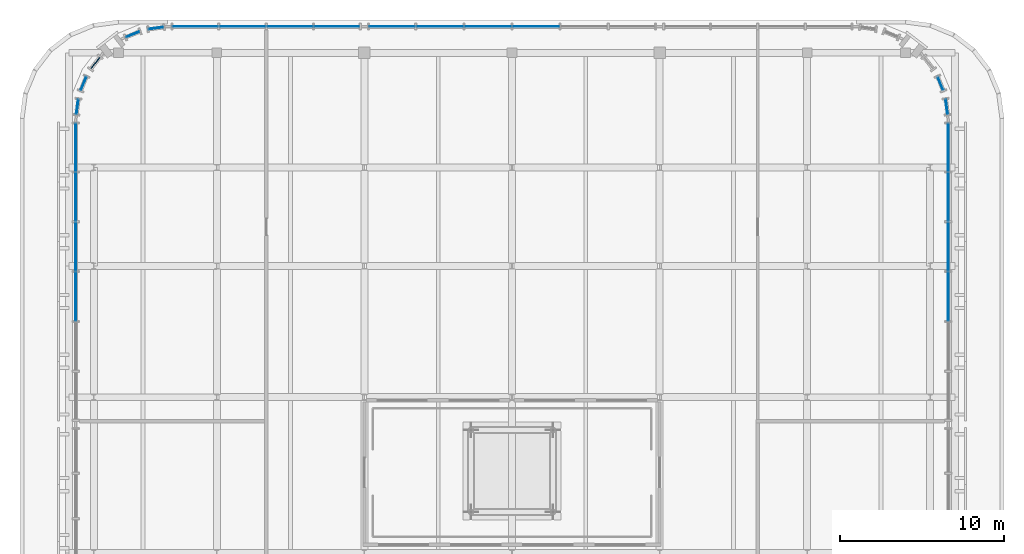
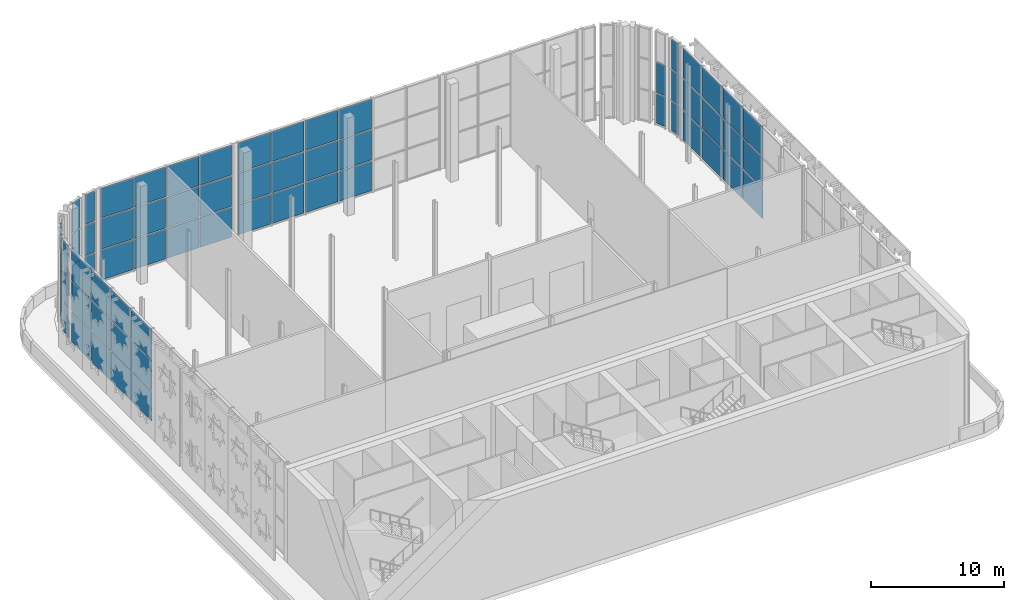
# One storey, part 16 of 26: 68 plates, 11 elements without a shape of their own.
"""IFC4 building model written with IfcOpenShell, lengths in metres."""

from ifc_helpers import new_model, si_unit, direction, frame, origin, origin_2d, place, context, subcontext, project, spatial, rectangle, extrude, material, layer, layer_set, type_object, element, aggregate, save


model = new_model("IFC4")

# Units and contexts
model_context = context("Model", 3, precision=1e-05, world=origin(), true_north=direction((0.0, 1.0)))
body_context = subcontext(model_context, "Body", "Model", "MODEL_VIEW")
ifc_project = project(units=[si_unit("LENGTHUNIT", "METRE"), si_unit("AREAUNIT", "SQUARE_METRE"), si_unit("VOLUMEUNIT", "CUBIC_METRE"), si_unit("PLANEANGLEUNIT", "RADIAN"), si_unit("MASSUNIT", "GRAM", prefix="KILO")], contexts=[model_context])

# Site, building, storey
site_placement = place(None, origin())
site = spatial("IfcSite", under=ifc_project, at=site_placement, CompositionType="ELEMENT")
building_placement = place(site_placement, origin())
building = spatial("IfcBuilding", under=site, at=building_placement, Name="Zellij Exchange Tower", CompositionType="ELEMENT")
storey_placement = place(building_placement, frame((0.0, 0.0, 296.5)))
storey = spatial("IfcBuildingStorey", under=building, at=storey_placement, Name="L70", CompositionType="ELEMENT", Elevation=296.5)

# Curtain wall, plates
ifc_material_1 = material(Name="Bronze anodised aluminium frame, bronze laminated glass", Category="aluminium")
curtain_wall_type = type_object("IfcCurtainWallType", Name="ENV-CW5 Damper-gallery glazing", PredefinedType="NOTDEFINED", material=ifc_material_1)
curtain_wall_1_placement = place(storey_placement, origin())
curtain_wall_1 = element("IfcCurtainWall", 1, at=curtain_wall_1_placement, inside=storey, type_object=curtain_wall_type, Name="cw.L70.04b", PredefinedType="NOTDEFINED")
ifc_material_2 = material(Name="Laminated glass, bronze tint", Category="glass")
ifc_layer = layer(ifc_material_2, 0.052001953125)
ifc_layer_set = layer_set([ifc_layer], Name="Laminated glass, bronze tint")
plate_type = type_object("IfcPlateType", Name="ENV-CW5P Glazed panel 52", PredefinedType="CURTAIN_PANEL", material=ifc_layer_set)
plate_1_placement = place(storey_placement, frame((26.60009765625, 20.138671875, 0.099853515625), z_axis=(0.0, 0.0, 1.0), x_axis=(0.0, 1.0, 0.0)))
plate_1 = element("IfcPlate", 2, at=plate_1_placement, type_object=plate_type, Name="CW5 panel 3.1", PredefinedType="CURTAIN_PANEL", context=body_context, shape_type="SweptSolid", body=[
    extrude(rectangle(XDim=2.938720703125, YDim=0.052001953125, at=origin_2d()), origin(), (0.0, 0.0, 1.0), 2.7333984375),
])
plate_2_placement = place(storey_placement, frame((26.60009765625, 20.138671875, 2.93310546875), z_axis=(0.0, 0.0, 1.0), x_axis=(0.0, 1.0, 0.0)))
plate_2 = element("IfcPlate", 3, at=plate_2_placement, type_object=plate_type, Name="CW5 panel 3.2", PredefinedType="CURTAIN_PANEL", context=body_context, shape_type="SweptSolid", body=[
    extrude(rectangle(XDim=2.938720703125, YDim=0.052001953125, at=origin_2d()), origin(), (0.0, 0.0, 1.0), 2.783447265625),
])
plate_3_placement = place(storey_placement, frame((26.60009765625, 20.138671875, 5.816650390625), z_axis=(0.0, 0.0, 1.0), x_axis=(0.0, 1.0, 0.0)))
plate_3 = element("IfcPlate", 4, at=plate_3_placement, type_object=plate_type, Name="CW5 panel 3.3", PredefinedType="CURTAIN_PANEL", context=body_context, shape_type="SweptSolid", body=[
    extrude(rectangle(XDim=2.938720703125, YDim=0.052001953125, at=origin_2d()), origin(), (0.0, 0.0, 1.0), 2.7333984375),
])
plate_4_placement = place(storey_placement, frame((26.60009765625, 23.17724609375, 0.099853515625), z_axis=(0.0, 0.0, 1.0), x_axis=(0.0, 1.0, 0.0)))
plate_4 = element("IfcPlate", 5, at=plate_4_placement, type_object=plate_type, Name="CW5 panel 4.1", PredefinedType="CURTAIN_PANEL", context=body_context, shape_type="SweptSolid", body=[
    extrude(rectangle(XDim=2.938720703125, YDim=0.052001953125, at=origin_2d()), origin(), (0.0, 0.0, 1.0), 2.7333984375),
])
plate_5_placement = place(storey_placement, frame((26.60009765625, 23.17724609375, 2.93310546875), z_axis=(0.0, 0.0, 1.0), x_axis=(0.0, 1.0, 0.0)))
plate_5 = element("IfcPlate", 6, at=plate_5_placement, type_object=plate_type, Name="CW5 panel 4.2", PredefinedType="CURTAIN_PANEL", context=body_context, shape_type="SweptSolid", body=[
    extrude(rectangle(XDim=2.938720703125, YDim=0.052001953125, at=origin_2d()), origin(), (0.0, 0.0, 1.0), 2.783447265625),
])
plate_6_placement = place(storey_placement, frame((26.60009765625, 23.17724609375, 5.816650390625), z_axis=(0.0, 0.0, 1.0), x_axis=(0.0, 1.0, 0.0)))
plate_6 = element("IfcPlate", 7, at=plate_6_placement, type_object=plate_type, Name="CW5 panel 4.3", PredefinedType="CURTAIN_PANEL", context=body_context, shape_type="SweptSolid", body=[
    extrude(rectangle(XDim=2.938720703125, YDim=0.052001953125, at=origin_2d()), origin(), (0.0, 0.0, 1.0), 2.7333984375),
])
plate_7_placement = place(storey_placement, frame((26.60009765625, 26.2158203125, 0.099853515625), z_axis=(0.0, 0.0, 1.0), x_axis=(0.0, 1.0, 0.0)))
plate_7 = element("IfcPlate", 8, at=plate_7_placement, type_object=plate_type, Name="CW5 panel 5.1", PredefinedType="CURTAIN_PANEL", context=body_context, shape_type="SweptSolid", body=[
    extrude(rectangle(XDim=2.938720703125, YDim=0.052001953125, at=origin_2d()), origin(), (0.0, 0.0, 1.0), 2.7333984375),
])
plate_8_placement = place(storey_placement, frame((26.60009765625, 26.2158203125, 2.93310546875), z_axis=(0.0, 0.0, 1.0), x_axis=(0.0, 1.0, 0.0)))
plate_8 = element("IfcPlate", 9, at=plate_8_placement, type_object=plate_type, Name="CW5 panel 5.2", PredefinedType="CURTAIN_PANEL", context=body_context, shape_type="SweptSolid", body=[
    extrude(rectangle(XDim=2.938720703125, YDim=0.052001953125, at=origin_2d()), origin(), (0.0, 0.0, 1.0), 2.783447265625),
])
plate_9_placement = place(storey_placement, frame((26.60009765625, 26.2158203125, 5.816650390625), z_axis=(0.0, 0.0, 1.0), x_axis=(0.0, 1.0, 0.0)))
plate_9 = element("IfcPlate", 10, at=plate_9_placement, type_object=plate_type, Name="CW5 panel 5.3", PredefinedType="CURTAIN_PANEL", context=body_context, shape_type="SweptSolid", body=[
    extrude(rectangle(XDim=2.938720703125, YDim=0.052001953125, at=origin_2d()), origin(), (0.0, 0.0, 1.0), 2.7333984375),
])
plate_10_placement = place(storey_placement, frame((26.60009765625, 29.2294921875, 0.099853515625), z_axis=(0.0, 0.0, 1.0), x_axis=(0.0, 1.0, 0.0)))
plate_10 = element("IfcPlate", 11, at=plate_10_placement, type_object=plate_type, Name="CW5 panel 6.1", PredefinedType="CURTAIN_PANEL", context=body_context, shape_type="SweptSolid", body=[
    extrude(rectangle(XDim=2.888671875, YDim=0.052001953125, at=origin_2d()), origin(), (0.0, 0.0, 1.0), 2.7333984375),
])
plate_11_placement = place(storey_placement, frame((26.60009765625, 29.2294921875, 2.93310546875), z_axis=(0.0, 0.0, 1.0), x_axis=(0.0, 1.0, 0.0)))
plate_11 = element("IfcPlate", 12, at=plate_11_placement, type_object=plate_type, Name="CW5 panel 6.2", PredefinedType="CURTAIN_PANEL", context=body_context, shape_type="SweptSolid", body=[
    extrude(rectangle(XDim=2.888671875, YDim=0.052001953125, at=origin_2d()), origin(), (0.0, 0.0, 1.0), 2.783447265625),
])
plate_12_placement = place(storey_placement, frame((26.60009765625, 29.2294921875, 5.816650390625), z_axis=(0.0, 0.0, 1.0), x_axis=(0.0, 1.0, 0.0)))
plate_12 = element("IfcPlate", 13, at=plate_12_placement, type_object=plate_type, Name="CW5 panel 6.3", PredefinedType="CURTAIN_PANEL", context=body_context, shape_type="SweptSolid", body=[
    extrude(rectangle(XDim=2.888671875, YDim=0.052001953125, at=origin_2d()), origin(), (0.0, 0.0, 1.0), 2.7333984375),
])
aggregate(curtain_wall_1, [plate_1, plate_2, plate_3, plate_4, plate_5, plate_6, plate_7, plate_8, plate_9, plate_10, plate_11, plate_12])

curtain_wall_2_placement = place(storey_placement, origin())
curtain_wall_2 = element("IfcCurtainWall", 14, at=curtain_wall_2_placement, inside=storey, type_object=curtain_wall_type, Name="cw.L70.05", PredefinedType="NOTDEFINED")
plate_13_placement = place(storey_placement, frame((26.5029296875, 31.711181640625, 0.099853515625), z_axis=(0.0, 0.0, 1.0), x_axis=(-0.130494953476, 0.991448973532, 0.0)))
plate_13 = element("IfcPlate", 15, at=plate_13_placement, type_object=plate_type, Name="CW5 panel 1.1", PredefinedType="CURTAIN_PANEL", context=body_context, shape_type="SweptSolid", body=[
    extrude(rectangle(XDim=0.887451171875, YDim=0.052001953125, at=origin_2d()), origin(), (0.0, 0.0, 1.0), 2.7333984375),
])
plate_14_placement = place(storey_placement, frame((26.5029296875, 31.711181640625, 2.93310546875), z_axis=(0.0, 0.0, 1.0), x_axis=(-0.130494953476, 0.991448973532, 0.0)))
plate_14 = element("IfcPlate", 16, at=plate_14_placement, type_object=plate_type, Name="CW5 panel 1.2", PredefinedType="CURTAIN_PANEL", context=body_context, shape_type="SweptSolid", body=[
    extrude(rectangle(XDim=0.887451171875, YDim=0.052001953125, at=origin_2d()), origin(), (0.0, 0.0, 1.0), 2.783447265625),
])
plate_15_placement = place(storey_placement, frame((26.5029296875, 31.711181640625, 5.816650390625), z_axis=(0.0, 0.0, 1.0), x_axis=(-0.130494953476, 0.991448973532, 0.0)))
plate_15 = element("IfcPlate", 17, at=plate_15_placement, type_object=plate_type, Name="CW5 panel 1.3", PredefinedType="CURTAIN_PANEL", context=body_context, shape_type="SweptSolid", body=[
    extrude(rectangle(XDim=0.887451171875, YDim=0.052001953125, at=origin_2d()), origin(), (0.0, 0.0, 1.0), 2.7333984375),
])
aggregate(curtain_wall_2, [plate_13, plate_14, plate_15])

curtain_wall_3_placement = place(storey_placement, origin())
curtain_wall_3 = element("IfcCurtainWall", 18, at=curtain_wall_3_placement, inside=storey, type_object=curtain_wall_type, Name="cw.L70.06", PredefinedType="NOTDEFINED")
plate_16_placement = place(storey_placement, frame((26.12646484375, 33.123291015625, 0.099853515625), z_axis=(0.0, 0.0, 1.0), x_axis=(-0.382754118186, 0.923850250318, 0.0)))
plate_16 = element("IfcPlate", 19, at=plate_16_placement, type_object=plate_type, Name="CW5 panel 1.1", PredefinedType="CURTAIN_PANEL", context=body_context, shape_type="SweptSolid", body=[
    extrude(rectangle(XDim=0.861083984375, YDim=0.052001953125, at=origin_2d()), origin(), (0.0, 0.0, 1.0), 2.7333984375),
])
plate_17_placement = place(storey_placement, frame((26.12646484375, 33.123291015625, 2.93310546875), z_axis=(0.0, 0.0, 1.0), x_axis=(-0.382754118186, 0.923850250318, 0.0)))
plate_17 = element("IfcPlate", 20, at=plate_17_placement, type_object=plate_type, Name="CW5 panel 1.2", PredefinedType="CURTAIN_PANEL", context=body_context, shape_type="SweptSolid", body=[
    extrude(rectangle(XDim=0.861083984375, YDim=0.052001953125, at=origin_2d()), origin(), (0.0, 0.0, 1.0), 2.783447265625),
])
aggregate(curtain_wall_3, [plate_16, plate_17])

curtain_wall_4_placement = place(storey_placement, origin())
curtain_wall_4 = element("IfcCurtainWall", 21, at=curtain_wall_4_placement, inside=storey, type_object=curtain_wall_type, Name="cw.L70.11b", PredefinedType="NOTDEFINED")
plate_18_placement = place(storey_placement, frame((1.466552734375, 36.60009765625, 0.099853515625), z_axis=(0.0, 0.0, 1.0), x_axis=(-1.0, 0.0, 0.0)))
plate_18 = element("IfcPlate", 22, at=plate_18_placement, type_object=plate_type, Name="CW5 panel 3.1", PredefinedType="CURTAIN_PANEL", context=body_context, shape_type="SweptSolid", body=[
    extrude(rectangle(XDim=2.833251953125, YDim=0.052001953125, at=origin_2d()), origin(), (0.0, 0.0, 1.0), 2.7333984375),
])
plate_19_placement = place(storey_placement, frame((1.466552734375, 36.60009765625, 2.93310546875), z_axis=(0.0, 0.0, 1.0), x_axis=(-1.0, 0.0, 0.0)))
plate_19 = element("IfcPlate", 23, at=plate_19_placement, type_object=plate_type, Name="CW5 panel 3.2", PredefinedType="CURTAIN_PANEL", context=body_context, shape_type="SweptSolid", body=[
    extrude(rectangle(XDim=2.833251953125, YDim=0.052001953125, at=origin_2d()), origin(), (0.0, 0.0, 1.0), 2.783447265625),
])
plate_20_placement = place(storey_placement, frame((1.466552734375, 36.60009765625, 5.816650390625), z_axis=(0.0, 0.0, 1.0), x_axis=(-1.0, 0.0, 0.0)))
plate_20 = element("IfcPlate", 24, at=plate_20_placement, type_object=plate_type, Name="CW5 panel 3.3", PredefinedType="CURTAIN_PANEL", context=body_context, shape_type="SweptSolid", body=[
    extrude(rectangle(XDim=2.833251953125, YDim=0.052001953125, at=origin_2d()), origin(), (0.0, 0.0, 1.0), 2.7333984375),
])
plate_21_placement = place(storey_placement, frame((-1.466552734375, 36.60009765625, 0.099853515625), z_axis=(0.0, 0.0, 1.0), x_axis=(-1.0, 0.0, 0.0)))
plate_21 = element("IfcPlate", 25, at=plate_21_placement, type_object=plate_type, Name="CW5 panel 4.1", PredefinedType="CURTAIN_PANEL", context=body_context, shape_type="SweptSolid", body=[
    extrude(rectangle(XDim=2.833251953125, YDim=0.052001953125, at=origin_2d()), origin(), (0.0, 0.0, 1.0), 2.7333984375),
])
plate_22_placement = place(storey_placement, frame((-1.466552734375, 36.60009765625, 2.93310546875), z_axis=(0.0, 0.0, 1.0), x_axis=(-1.0, 0.0, 0.0)))
plate_22 = element("IfcPlate", 26, at=plate_22_placement, type_object=plate_type, Name="CW5 panel 4.2", PredefinedType="CURTAIN_PANEL", context=body_context, shape_type="SweptSolid", body=[
    extrude(rectangle(XDim=2.833251953125, YDim=0.052001953125, at=origin_2d()), origin(), (0.0, 0.0, 1.0), 2.783447265625),
])
plate_23_placement = place(storey_placement, frame((-1.466552734375, 36.60009765625, 5.816650390625), z_axis=(0.0, 0.0, 1.0), x_axis=(-1.0, 0.0, 0.0)))
plate_23 = element("IfcPlate", 27, at=plate_23_placement, type_object=plate_type, Name="CW5 panel 4.3", PredefinedType="CURTAIN_PANEL", context=body_context, shape_type="SweptSolid", body=[
    extrude(rectangle(XDim=2.833251953125, YDim=0.052001953125, at=origin_2d()), origin(), (0.0, 0.0, 1.0), 2.7333984375),
])
plate_24_placement = place(storey_placement, frame((-4.39990234375, 36.60009765625, 0.099853515625), z_axis=(0.0, 0.0, 1.0), x_axis=(-1.0, 0.0, 0.0)))
plate_24 = element("IfcPlate", 28, at=plate_24_placement, type_object=plate_type, Name="CW5 panel 5.1", PredefinedType="CURTAIN_PANEL", context=body_context, shape_type="SweptSolid", body=[
    extrude(rectangle(XDim=2.833251953125, YDim=0.052001953125, at=origin_2d()), origin(), (0.0, 0.0, 1.0), 2.7333984375),
])
plate_25_placement = place(storey_placement, frame((-4.39990234375, 36.60009765625, 2.93310546875), z_axis=(0.0, 0.0, 1.0), x_axis=(-1.0, 0.0, 0.0)))
plate_25 = element("IfcPlate", 29, at=plate_25_placement, type_object=plate_type, Name="CW5 panel 5.2", PredefinedType="CURTAIN_PANEL", context=body_context, shape_type="SweptSolid", body=[
    extrude(rectangle(XDim=2.833251953125, YDim=0.052001953125, at=origin_2d()), origin(), (0.0, 0.0, 1.0), 2.783447265625),
])
plate_26_placement = place(storey_placement, frame((-4.39990234375, 36.60009765625, 5.816650390625), z_axis=(0.0, 0.0, 1.0), x_axis=(-1.0, 0.0, 0.0)))
plate_26 = element("IfcPlate", 30, at=plate_26_placement, type_object=plate_type, Name="CW5 panel 5.3", PredefinedType="CURTAIN_PANEL", context=body_context, shape_type="SweptSolid", body=[
    extrude(rectangle(XDim=2.833251953125, YDim=0.052001953125, at=origin_2d()), origin(), (0.0, 0.0, 1.0), 2.7333984375),
])
plate_27_placement = place(storey_placement, frame((-7.308349609375, 36.60009765625, 0.099853515625), z_axis=(0.0, 0.0, 1.0), x_axis=(-1.0, 0.0, 0.0)))
plate_27 = element("IfcPlate", 31, at=plate_27_placement, type_object=plate_type, Name="CW5 panel 6.1", PredefinedType="CURTAIN_PANEL", context=body_context, shape_type="SweptSolid", body=[
    extrude(rectangle(XDim=2.783447265625, YDim=0.052001953125, at=origin_2d()), origin(), (0.0, 0.0, 1.0), 2.7333984375),
])
plate_28_placement = place(storey_placement, frame((-7.308349609375, 36.60009765625, 2.93310546875), z_axis=(0.0, 0.0, 1.0), x_axis=(-1.0, 0.0, 0.0)))
plate_28 = element("IfcPlate", 32, at=plate_28_placement, type_object=plate_type, Name="CW5 panel 6.2", PredefinedType="CURTAIN_PANEL", context=body_context, shape_type="SweptSolid", body=[
    extrude(rectangle(XDim=2.783447265625, YDim=0.052001953125, at=origin_2d()), origin(), (0.0, 0.0, 1.0), 2.783447265625),
])
plate_29_placement = place(storey_placement, frame((-7.308349609375, 36.60009765625, 5.816650390625), z_axis=(0.0, 0.0, 1.0), x_axis=(-1.0, 0.0, 0.0)))
plate_29 = element("IfcPlate", 33, at=plate_29_placement, type_object=plate_type, Name="CW5 panel 6.3", PredefinedType="CURTAIN_PANEL", context=body_context, shape_type="SweptSolid", body=[
    extrude(rectangle(XDim=2.783447265625, YDim=0.052001953125, at=origin_2d()), origin(), (0.0, 0.0, 1.0), 2.7333984375),
])
aggregate(curtain_wall_4, [plate_18, plate_19, plate_20, plate_21, plate_22, plate_23, plate_24, plate_25, plate_26, plate_27, plate_28, plate_29])

curtain_wall_5_placement = place(storey_placement, origin())
curtain_wall_5 = element("IfcCurtainWall", 34, at=curtain_wall_5_placement, inside=storey, type_object=curtain_wall_type, Name="cw.L70.11c", PredefinedType="NOTDEFINED")
plate_30_placement = place(storey_placement, frame((-10.671630859375, 36.60009765625, 0.099853515625), z_axis=(0.0, 0.0, 1.0), x_axis=(-1.0, 0.0, 0.0)))
plate_30 = element("IfcPlate", 35, at=plate_30_placement, type_object=plate_type, Name="CW5 panel 1.1", PredefinedType="CURTAIN_PANEL", context=body_context, shape_type="SweptSolid", body=[
    extrude(rectangle(XDim=2.743408203125, YDim=0.052001953125, at=origin_2d()), origin(), (0.0, 0.0, 1.0), 2.7333984375),
])
plate_31_placement = place(storey_placement, frame((-10.671630859375, 36.60009765625, 2.93310546875), z_axis=(0.0, 0.0, 1.0), x_axis=(-1.0, 0.0, 0.0)))
plate_31 = element("IfcPlate", 36, at=plate_31_placement, type_object=plate_type, Name="CW5 panel 1.2", PredefinedType="CURTAIN_PANEL", context=body_context, shape_type="SweptSolid", body=[
    extrude(rectangle(XDim=2.743408203125, YDim=0.052001953125, at=origin_2d()), origin(), (0.0, 0.0, 1.0), 2.783447265625),
])
plate_32_placement = place(storey_placement, frame((-10.671630859375, 36.60009765625, 5.816650390625), z_axis=(0.0, 0.0, 1.0), x_axis=(-1.0, 0.0, 0.0)))
plate_32 = element("IfcPlate", 37, at=plate_32_placement, type_object=plate_type, Name="CW5 panel 1.3", PredefinedType="CURTAIN_PANEL", context=body_context, shape_type="SweptSolid", body=[
    extrude(rectangle(XDim=2.743408203125, YDim=0.052001953125, at=origin_2d()), origin(), (0.0, 0.0, 1.0), 2.7333984375),
])
plate_33_placement = place(storey_placement, frame((-13.540283203125, 36.60009765625, 0.099853515625), z_axis=(0.0, 0.0, 1.0), x_axis=(-1.0, 0.0, 0.0)))
plate_33 = element("IfcPlate", 38, at=plate_33_placement, type_object=plate_type, Name="CW5 panel 2.1", PredefinedType="CURTAIN_PANEL", context=body_context, shape_type="SweptSolid", body=[
    extrude(rectangle(XDim=2.79345703125, YDim=0.052001953125, at=origin_2d()), origin(), (0.0, 0.0, 1.0), 2.7333984375),
])
plate_34_placement = place(storey_placement, frame((-13.540283203125, 36.60009765625, 2.93310546875), z_axis=(0.0, 0.0, 1.0), x_axis=(-1.0, 0.0, 0.0)))
plate_34 = element("IfcPlate", 39, at=plate_34_placement, type_object=plate_type, Name="CW5 panel 2.2", PredefinedType="CURTAIN_PANEL", context=body_context, shape_type="SweptSolid", body=[
    extrude(rectangle(XDim=2.79345703125, YDim=0.052001953125, at=origin_2d()), origin(), (0.0, 0.0, 1.0), 2.783447265625),
])
plate_35_placement = place(storey_placement, frame((-13.540283203125, 36.60009765625, 5.816650390625), z_axis=(0.0, 0.0, 1.0), x_axis=(-1.0, 0.0, 0.0)))
plate_35 = element("IfcPlate", 40, at=plate_35_placement, type_object=plate_type, Name="CW5 panel 2.3", PredefinedType="CURTAIN_PANEL", context=body_context, shape_type="SweptSolid", body=[
    extrude(rectangle(XDim=2.79345703125, YDim=0.052001953125, at=origin_2d()), origin(), (0.0, 0.0, 1.0), 2.7333984375),
])
plate_36_placement = place(storey_placement, frame((-16.43359375, 36.60009765625, 0.099853515625), z_axis=(0.0, 0.0, 1.0), x_axis=(-1.0, 0.0, 0.0)))
plate_36 = element("IfcPlate", 41, at=plate_36_placement, type_object=plate_type, Name="CW5 panel 3.1", PredefinedType="CURTAIN_PANEL", context=body_context, shape_type="SweptSolid", body=[
    extrude(rectangle(XDim=2.79345703125, YDim=0.052001953125, at=origin_2d()), origin(), (0.0, 0.0, 1.0), 2.7333984375),
])
plate_37_placement = place(storey_placement, frame((-16.43359375, 36.60009765625, 2.93310546875), z_axis=(0.0, 0.0, 1.0), x_axis=(-1.0, 0.0, 0.0)))
plate_37 = element("IfcPlate", 42, at=plate_37_placement, type_object=plate_type, Name="CW5 panel 3.2", PredefinedType="CURTAIN_PANEL", context=body_context, shape_type="SweptSolid", body=[
    extrude(rectangle(XDim=2.79345703125, YDim=0.052001953125, at=origin_2d()), origin(), (0.0, 0.0, 1.0), 2.783447265625),
])
plate_38_placement = place(storey_placement, frame((-16.43359375, 36.60009765625, 5.816650390625), z_axis=(0.0, 0.0, 1.0), x_axis=(-1.0, 0.0, 0.0)))
plate_38 = element("IfcPlate", 43, at=plate_38_placement, type_object=plate_type, Name="CW5 panel 3.3", PredefinedType="CURTAIN_PANEL", context=body_context, shape_type="SweptSolid", body=[
    extrude(rectangle(XDim=2.79345703125, YDim=0.052001953125, at=origin_2d()), origin(), (0.0, 0.0, 1.0), 2.7333984375),
])
plate_39_placement = place(storey_placement, frame((-19.302001953125, 36.60009765625, 0.099853515625), z_axis=(0.0, 0.0, 1.0), x_axis=(-1.0, 0.0, 0.0)))
plate_39 = element("IfcPlate", 44, at=plate_39_placement, type_object=plate_type, Name="CW5 panel 4.1", PredefinedType="CURTAIN_PANEL", context=body_context, shape_type="SweptSolid", body=[
    extrude(rectangle(XDim=2.743408203125, YDim=0.052001953125, at=origin_2d()), origin(), (0.0, 0.0, 1.0), 2.7333984375),
])
plate_40_placement = place(storey_placement, frame((-19.302001953125, 36.60009765625, 2.93310546875), z_axis=(0.0, 0.0, 1.0), x_axis=(-1.0, 0.0, 0.0)))
plate_40 = element("IfcPlate", 45, at=plate_40_placement, type_object=plate_type, Name="CW5 panel 4.2", PredefinedType="CURTAIN_PANEL", context=body_context, shape_type="SweptSolid", body=[
    extrude(rectangle(XDim=2.743408203125, YDim=0.052001953125, at=origin_2d()), origin(), (0.0, 0.0, 1.0), 2.783447265625),
])
plate_41_placement = place(storey_placement, frame((-19.302001953125, 36.60009765625, 5.816650390625), z_axis=(0.0, 0.0, 1.0), x_axis=(-1.0, 0.0, 0.0)))
plate_41 = element("IfcPlate", 46, at=plate_41_placement, type_object=plate_type, Name="CW5 panel 4.3", PredefinedType="CURTAIN_PANEL", context=body_context, shape_type="SweptSolid", body=[
    extrude(rectangle(XDim=2.743408203125, YDim=0.052001953125, at=origin_2d()), origin(), (0.0, 0.0, 1.0), 2.7333984375),
])
aggregate(curtain_wall_5, [plate_30, plate_31, plate_32, plate_33, plate_34, plate_35, plate_36, plate_37, plate_38, plate_39, plate_40, plate_41])

curtain_wall_6_placement = place(storey_placement, origin())
curtain_wall_6 = element("IfcCurtainWall", 47, at=curtain_wall_6_placement, inside=storey, type_object=curtain_wall_type, Name="cw.L70.12", PredefinedType="NOTDEFINED")
plate_42_placement = place(storey_placement, frame((-21.711181640625, 36.5029296875, 0.099853515625), z_axis=(0.0, 0.0, 1.0), x_axis=(-0.991448973532, -0.130494953476, 0.0)))
plate_42 = element("IfcPlate", 48, at=plate_42_placement, type_object=plate_type, Name="CW5 panel 1.1", PredefinedType="CURTAIN_PANEL", context=body_context, shape_type="SweptSolid", body=[
    extrude(rectangle(XDim=0.887451171875, YDim=0.052001953125, at=origin_2d()), origin(), (0.0, 0.0, 1.0), 2.7333984375),
])
plate_43_placement = place(storey_placement, frame((-21.711181640625, 36.5029296875, 2.93310546875), z_axis=(0.0, 0.0, 1.0), x_axis=(-0.991448973532, -0.130494953476, 0.0)))
plate_43 = element("IfcPlate", 49, at=plate_43_placement, type_object=plate_type, Name="CW5 panel 1.2", PredefinedType="CURTAIN_PANEL", context=body_context, shape_type="SweptSolid", body=[
    extrude(rectangle(XDim=0.887451171875, YDim=0.052001953125, at=origin_2d()), origin(), (0.0, 0.0, 1.0), 2.783447265625),
])
plate_44_placement = place(storey_placement, frame((-21.711181640625, 36.5029296875, 5.816650390625), z_axis=(0.0, 0.0, 1.0), x_axis=(-0.991448973532, -0.130494953476, 0.0)))
plate_44 = element("IfcPlate", 50, at=plate_44_placement, type_object=plate_type, Name="CW5 panel 1.3", PredefinedType="CURTAIN_PANEL", context=body_context, shape_type="SweptSolid", body=[
    extrude(rectangle(XDim=0.887451171875, YDim=0.052001953125, at=origin_2d()), origin(), (0.0, 0.0, 1.0), 2.7333984375),
])
aggregate(curtain_wall_6, [plate_42, plate_43, plate_44])

curtain_wall_7_placement = place(storey_placement, origin())
curtain_wall_7 = element("IfcCurtainWall", 51, at=curtain_wall_7_placement, inside=storey, type_object=curtain_wall_type, Name="cw.L70.13", PredefinedType="NOTDEFINED")
plate_45_placement = place(storey_placement, frame((-23.123291015625, 36.12646484375, 0.099853515625), z_axis=(0.0, 0.0, 1.0), x_axis=(-0.923850250318, -0.382754118186, 0.0)))
plate_45 = element("IfcPlate", 52, at=plate_45_placement, type_object=plate_type, Name="CW5 panel 1.1", PredefinedType="CURTAIN_PANEL", context=body_context, shape_type="SweptSolid", body=[
    extrude(rectangle(XDim=0.861083984375, YDim=0.052001953125, at=origin_2d()), origin(), (0.0, 0.0, 1.0), 2.7333984375),
])
plate_46_placement = place(storey_placement, frame((-23.123291015625, 36.12646484375, 2.93310546875), z_axis=(0.0, 0.0, 1.0), x_axis=(-0.923850250318, -0.382754118186, 0.0)))
plate_46 = element("IfcPlate", 53, at=plate_46_placement, type_object=plate_type, Name="CW5 panel 1.2", PredefinedType="CURTAIN_PANEL", context=body_context, shape_type="SweptSolid", body=[
    extrude(rectangle(XDim=0.861083984375, YDim=0.052001953125, at=origin_2d()), origin(), (0.0, 0.0, 1.0), 2.783447265625),
])
plate_47_placement = place(storey_placement, frame((-23.123291015625, 36.12646484375, 5.816650390625), z_axis=(0.0, 0.0, 1.0), x_axis=(-0.923850250318, -0.382754118186, 0.0)))
plate_47 = element("IfcPlate", 54, at=plate_47_placement, type_object=plate_type, Name="CW5 panel 1.3", PredefinedType="CURTAIN_PANEL", context=body_context, shape_type="SweptSolid", body=[
    extrude(rectangle(XDim=0.861083984375, YDim=0.052001953125, at=origin_2d()), origin(), (0.0, 0.0, 1.0), 2.7333984375),
])
aggregate(curtain_wall_7, [plate_45, plate_46, plate_47])

curtain_wall_8_placement = place(storey_placement, origin())
curtain_wall_8 = element("IfcCurtainWall", 55, at=curtain_wall_8_placement, inside=storey, type_object=curtain_wall_type, Name="cw.L70.15", PredefinedType="NOTDEFINED")
plate_48_placement = place(storey_placement, frame((-25.402099609375, 34.377685546875, 0.099853515625), z_axis=(0.0, 0.0, 1.0), x_axis=(-0.6087401576, -0.793369661964, 0.0)))
plate_48 = element("IfcPlate", 56, at=plate_48_placement, type_object=plate_type, Name="CW5 panel 1.1", PredefinedType="CURTAIN_PANEL", context=body_context, shape_type="SweptSolid", body=[
    extrude(rectangle(XDim=0.861083984375, YDim=0.052001953125, at=origin_2d()), origin(), (0.0, 0.0, 1.0), 2.7333984375),
])
plate_49_placement = place(storey_placement, frame((-25.402099609375, 34.377685546875, 2.93310546875), z_axis=(0.0, 0.0, 1.0), x_axis=(-0.6087401576, -0.793369661964, 0.0)))
plate_49 = element("IfcPlate", 57, at=plate_49_placement, type_object=plate_type, Name="CW5 panel 1.2", PredefinedType="CURTAIN_PANEL", context=body_context, shape_type="SweptSolid", body=[
    extrude(rectangle(XDim=0.861083984375, YDim=0.052001953125, at=origin_2d()), origin(), (0.0, 0.0, 1.0), 2.783447265625),
])
plate_50_placement = place(storey_placement, frame((-25.402099609375, 34.377685546875, 5.816650390625), z_axis=(0.0, 0.0, 1.0), x_axis=(-0.6087401576, -0.793369661964, 0.0)))
plate_50 = element("IfcPlate", 58, at=plate_50_placement, type_object=plate_type, Name="CW5 panel 1.3", PredefinedType="CURTAIN_PANEL", context=body_context, shape_type="SweptSolid", body=[
    extrude(rectangle(XDim=0.861083984375, YDim=0.052001953125, at=origin_2d()), origin(), (0.0, 0.0, 1.0), 2.7333984375),
])
aggregate(curtain_wall_8, [plate_48, plate_49, plate_50])

curtain_wall_9_placement = place(storey_placement, origin())
curtain_wall_9 = element("IfcCurtainWall", 59, at=curtain_wall_9_placement, inside=storey, type_object=curtain_wall_type, Name="cw.L70.16", PredefinedType="NOTDEFINED")
plate_51_placement = place(storey_placement, frame((-26.12646484375, 33.123291015625, 0.099853515625), z_axis=(0.0, 0.0, 1.0), x_axis=(-0.382754118186, -0.923850250318, 0.0)))
plate_51 = element("IfcPlate", 60, at=plate_51_placement, type_object=plate_type, Name="CW5 panel 1.1", PredefinedType="CURTAIN_PANEL", context=body_context, shape_type="SweptSolid", body=[
    extrude(rectangle(XDim=0.861083984375, YDim=0.052001953125, at=origin_2d()), origin(), (0.0, 0.0, 1.0), 2.7333984375),
])
plate_52_placement = place(storey_placement, frame((-26.12646484375, 33.123291015625, 2.93310546875), z_axis=(0.0, 0.0, 1.0), x_axis=(-0.382754118186, -0.923850250318, 0.0)))
plate_52 = element("IfcPlate", 61, at=plate_52_placement, type_object=plate_type, Name="CW5 panel 1.2", PredefinedType="CURTAIN_PANEL", context=body_context, shape_type="SweptSolid", body=[
    extrude(rectangle(XDim=0.861083984375, YDim=0.052001953125, at=origin_2d()), origin(), (0.0, 0.0, 1.0), 2.783447265625),
])
plate_53_placement = place(storey_placement, frame((-26.12646484375, 33.123291015625, 5.816650390625), z_axis=(0.0, 0.0, 1.0), x_axis=(-0.382754118186, -0.923850250318, 0.0)))
plate_53 = element("IfcPlate", 62, at=plate_53_placement, type_object=plate_type, Name="CW5 panel 1.3", PredefinedType="CURTAIN_PANEL", context=body_context, shape_type="SweptSolid", body=[
    extrude(rectangle(XDim=0.861083984375, YDim=0.052001953125, at=origin_2d()), origin(), (0.0, 0.0, 1.0), 2.7333984375),
])
aggregate(curtain_wall_9, [plate_51, plate_52, plate_53])

curtain_wall_10_placement = place(storey_placement, origin())
curtain_wall_10 = element("IfcCurtainWall", 63, at=curtain_wall_10_placement, inside=storey, type_object=curtain_wall_type, Name="cw.L70.17", PredefinedType="NOTDEFINED")
plate_54_placement = place(storey_placement, frame((-26.5029296875, 31.711181640625, 0.099853515625), z_axis=(0.0, 0.0, 1.0), x_axis=(-0.130494953476, -0.991448973532, 0.0)))
plate_54 = element("IfcPlate", 64, at=plate_54_placement, type_object=plate_type, Name="CW5 panel 1.1", PredefinedType="CURTAIN_PANEL", context=body_context, shape_type="SweptSolid", body=[
    extrude(rectangle(XDim=0.887451171875, YDim=0.052001953125, at=origin_2d()), origin(), (0.0, 0.0, 1.0), 2.7333984375),
])
plate_55_placement = place(storey_placement, frame((-26.5029296875, 31.711181640625, 2.93310546875), z_axis=(0.0, 0.0, 1.0), x_axis=(-0.130494953476, -0.991448973532, 0.0)))
plate_55 = element("IfcPlate", 65, at=plate_55_placement, type_object=plate_type, Name="CW5 panel 1.2", PredefinedType="CURTAIN_PANEL", context=body_context, shape_type="SweptSolid", body=[
    extrude(rectangle(XDim=0.887451171875, YDim=0.052001953125, at=origin_2d()), origin(), (0.0, 0.0, 1.0), 2.783447265625),
])
plate_56_placement = place(storey_placement, frame((-26.5029296875, 31.711181640625, 5.816650390625), z_axis=(0.0, 0.0, 1.0), x_axis=(-0.130494953476, -0.991448973532, 0.0)))
plate_56 = element("IfcPlate", 66, at=plate_56_placement, type_object=plate_type, Name="CW5 panel 1.3", PredefinedType="CURTAIN_PANEL", context=body_context, shape_type="SweptSolid", body=[
    extrude(rectangle(XDim=0.887451171875, YDim=0.052001953125, at=origin_2d()), origin(), (0.0, 0.0, 1.0), 2.7333984375),
])
aggregate(curtain_wall_10, [plate_54, plate_55, plate_56])

curtain_wall_11_placement = place(storey_placement, origin())
curtain_wall_11 = element("IfcCurtainWall", 67, at=curtain_wall_11_placement, inside=storey, type_object=curtain_wall_type, Name="cw.L70.18a", PredefinedType="NOTDEFINED")
plate_57_placement = place(storey_placement, frame((-26.60009765625, 29.2294921875, 0.099853515625), z_axis=(0.0, 0.0, 1.0), x_axis=(0.0, -1.0, 0.0)))
plate_57 = element("IfcPlate", 68, at=plate_57_placement, type_object=plate_type, Name="CW5 panel 1.1", PredefinedType="CURTAIN_PANEL", context=body_context, shape_type="SweptSolid", body=[
    extrude(rectangle(XDim=2.888671875, YDim=0.052001953125, at=origin_2d()), origin(), (0.0, 0.0, 1.0), 2.7333984375),
])
plate_58_placement = place(storey_placement, frame((-26.60009765625, 29.2294921875, 2.93310546875), z_axis=(0.0, 0.0, 1.0), x_axis=(0.0, -1.0, 0.0)))
plate_58 = element("IfcPlate", 69, at=plate_58_placement, type_object=plate_type, Name="CW5 panel 1.2", PredefinedType="CURTAIN_PANEL", context=body_context, shape_type="SweptSolid", body=[
    extrude(rectangle(XDim=2.888671875, YDim=0.052001953125, at=origin_2d()), origin(), (0.0, 0.0, 1.0), 2.783447265625),
])
plate_59_placement = place(storey_placement, frame((-26.60009765625, 29.2294921875, 5.816650390625), z_axis=(0.0, 0.0, 1.0), x_axis=(0.0, -1.0, 0.0)))
plate_59 = element("IfcPlate", 70, at=plate_59_placement, type_object=plate_type, Name="CW5 panel 1.3", PredefinedType="CURTAIN_PANEL", context=body_context, shape_type="SweptSolid", body=[
    extrude(rectangle(XDim=2.888671875, YDim=0.052001953125, at=origin_2d()), origin(), (0.0, 0.0, 1.0), 2.7333984375),
])
plate_60_placement = place(storey_placement, frame((-26.60009765625, 26.2158203125, 0.099853515625), z_axis=(0.0, 0.0, 1.0), x_axis=(0.0, -1.0, 0.0)))
plate_60 = element("IfcPlate", 71, at=plate_60_placement, type_object=plate_type, Name="CW5 panel 2.1", PredefinedType="CURTAIN_PANEL", context=body_context, shape_type="SweptSolid", body=[
    extrude(rectangle(XDim=2.938720703125, YDim=0.052001953125, at=origin_2d()), origin(), (0.0, 0.0, 1.0), 2.7333984375),
])
plate_61_placement = place(storey_placement, frame((-26.60009765625, 26.2158203125, 2.93310546875), z_axis=(0.0, 0.0, 1.0), x_axis=(0.0, -1.0, 0.0)))
plate_61 = element("IfcPlate", 72, at=plate_61_placement, type_object=plate_type, Name="CW5 panel 2.2", PredefinedType="CURTAIN_PANEL", context=body_context, shape_type="SweptSolid", body=[
    extrude(rectangle(XDim=2.938720703125, YDim=0.052001953125, at=origin_2d()), origin(), (0.0, 0.0, 1.0), 2.783447265625),
])
plate_62_placement = place(storey_placement, frame((-26.60009765625, 26.2158203125, 5.816650390625), z_axis=(0.0, 0.0, 1.0), x_axis=(0.0, -1.0, 0.0)))
plate_62 = element("IfcPlate", 73, at=plate_62_placement, type_object=plate_type, Name="CW5 panel 2.3", PredefinedType="CURTAIN_PANEL", context=body_context, shape_type="SweptSolid", body=[
    extrude(rectangle(XDim=2.938720703125, YDim=0.052001953125, at=origin_2d()), origin(), (0.0, 0.0, 1.0), 2.7333984375),
])
plate_63_placement = place(storey_placement, frame((-26.60009765625, 23.17724609375, 0.099853515625), z_axis=(0.0, 0.0, 1.0), x_axis=(0.0, -1.0, 0.0)))
plate_63 = element("IfcPlate", 74, at=plate_63_placement, type_object=plate_type, Name="CW5 panel 3.1", PredefinedType="CURTAIN_PANEL", context=body_context, shape_type="SweptSolid", body=[
    extrude(rectangle(XDim=2.938720703125, YDim=0.052001953125, at=origin_2d()), origin(), (0.0, 0.0, 1.0), 2.7333984375),
])
plate_64_placement = place(storey_placement, frame((-26.60009765625, 23.17724609375, 2.93310546875), z_axis=(0.0, 0.0, 1.0), x_axis=(0.0, -1.0, 0.0)))
plate_64 = element("IfcPlate", 75, at=plate_64_placement, type_object=plate_type, Name="CW5 panel 3.2", PredefinedType="CURTAIN_PANEL", context=body_context, shape_type="SweptSolid", body=[
    extrude(rectangle(XDim=2.938720703125, YDim=0.052001953125, at=origin_2d()), origin(), (0.0, 0.0, 1.0), 2.783447265625),
])
plate_65_placement = place(storey_placement, frame((-26.60009765625, 23.17724609375, 5.816650390625), z_axis=(0.0, 0.0, 1.0), x_axis=(0.0, -1.0, 0.0)))
plate_65 = element("IfcPlate", 76, at=plate_65_placement, type_object=plate_type, Name="CW5 panel 3.3", PredefinedType="CURTAIN_PANEL", context=body_context, shape_type="SweptSolid", body=[
    extrude(rectangle(XDim=2.938720703125, YDim=0.052001953125, at=origin_2d()), origin(), (0.0, 0.0, 1.0), 2.7333984375),
])
plate_66_placement = place(storey_placement, frame((-26.60009765625, 20.138671875, 0.099853515625), z_axis=(0.0, 0.0, 1.0), x_axis=(0.0, -1.0, 0.0)))
plate_66 = element("IfcPlate", 77, at=plate_66_placement, type_object=plate_type, Name="CW5 panel 4.1", PredefinedType="CURTAIN_PANEL", context=body_context, shape_type="SweptSolid", body=[
    extrude(rectangle(XDim=2.938720703125, YDim=0.052001953125, at=origin_2d()), origin(), (0.0, 0.0, 1.0), 2.7333984375),
])
plate_67_placement = place(storey_placement, frame((-26.60009765625, 20.138671875, 2.93310546875), z_axis=(0.0, 0.0, 1.0), x_axis=(0.0, -1.0, 0.0)))
plate_67 = element("IfcPlate", 78, at=plate_67_placement, type_object=plate_type, Name="CW5 panel 4.2", PredefinedType="CURTAIN_PANEL", context=body_context, shape_type="SweptSolid", body=[
    extrude(rectangle(XDim=2.938720703125, YDim=0.052001953125, at=origin_2d()), origin(), (0.0, 0.0, 1.0), 2.783447265625),
])
plate_68_placement = place(storey_placement, frame((-26.60009765625, 20.138671875, 5.816650390625), z_axis=(0.0, 0.0, 1.0), x_axis=(0.0, -1.0, 0.0)))
plate_68 = element("IfcPlate", 79, at=plate_68_placement, type_object=plate_type, Name="CW5 panel 4.3", PredefinedType="CURTAIN_PANEL", context=body_context, shape_type="SweptSolid", body=[
    extrude(rectangle(XDim=2.938720703125, YDim=0.052001953125, at=origin_2d()), origin(), (0.0, 0.0, 1.0), 2.7333984375),
])
aggregate(curtain_wall_11, [plate_57, plate_58, plate_59, plate_60, plate_61, plate_62, plate_63, plate_64, plate_65, plate_66, plate_67, plate_68])

save(model, "model.ifc")
